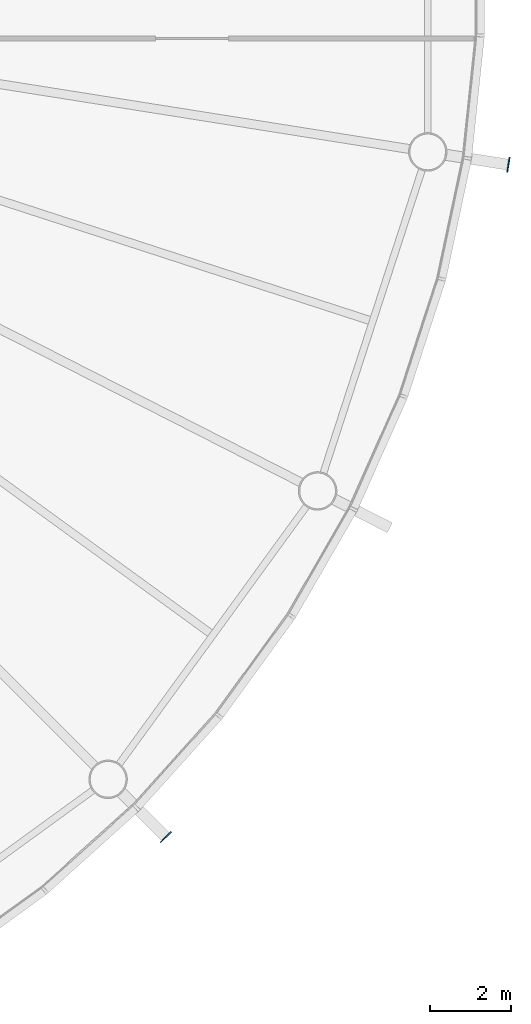
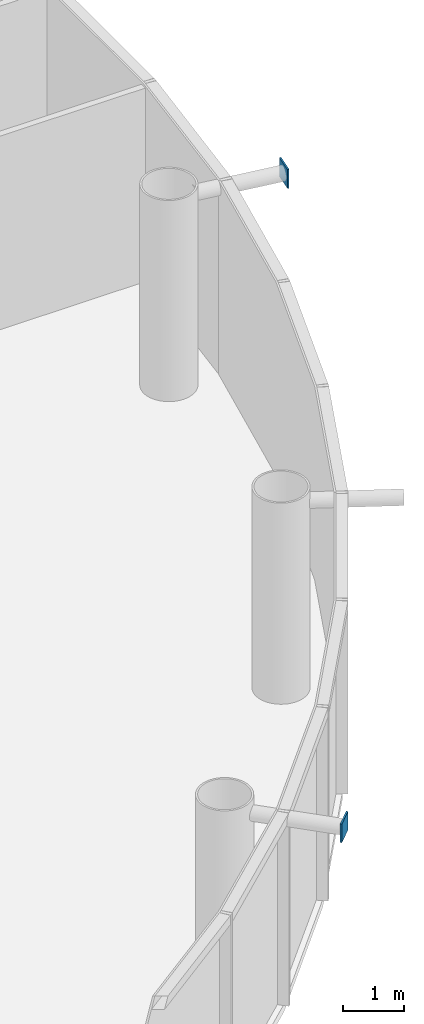
# One storey, part 7 of 16: 2 discrete accessories.
"""IFC4 building model written with IfcOpenShell, lengths in metres."""

from ifc_helpers import new_model, si_unit, direction, frame, origin, origin_2d, place, context, subcontext, project, spatial, rectangle, extrude, material, element, save


model = new_model("IFC4")

# Units and contexts
model_context = context("Model", 3, precision=1e-05, world=origin(), true_north=direction((0.0, 1.0)))
body_context = subcontext(model_context, "Body", "Model", "MODEL_VIEW")
ifc_project = project(units=[si_unit("LENGTHUNIT", "METRE"), si_unit("AREAUNIT", "SQUARE_METRE"), si_unit("VOLUMEUNIT", "CUBIC_METRE"), si_unit("PLANEANGLEUNIT", "RADIAN"), si_unit("MASSUNIT", "GRAM", prefix="KILO")], contexts=[model_context])

# Site, building, storey
site_placement = place(None, origin())
site = spatial("IfcSite", under=ifc_project, at=site_placement, CompositionType="ELEMENT")
building_placement = place(site_placement, origin())
building = spatial("IfcBuilding", under=site, at=building_placement, Name="Entoto Ring Tower", CompositionType="ELEMENT")
storey_placement = place(building_placement, frame((0.0, 0.0, 326.0)))
storey = spatial("IfcBuildingStorey", under=building, at=storey_placement, Name="L75", CompositionType="ELEMENT", Elevation=326.0)

# Discrete accessories
ifc_material = material(Name="Steel S355", Category="steel")
for number, where, z_axis, x_axis, name in (
    (1, (111.29443359375, 58.70556640625, 3.52685546875), (0.0, 0.0, 1.0), (0.707106781187, -0.707106781187, 0.0), "Node strut end plate DS2 ring 24 18"),
    (2, (119.744140625, 75.2890625, 3.52685546875), (0.0, 0.0, 1.0), (0.987688340595, -0.15643446504, 0.0), "Node strut end plate DS2 ring 24 20"),
):
    element("IfcDiscreteAccessory", number, at=place(storey_placement, frame(where, z_axis=z_axis, x_axis=x_axis)), inside=storey, material=ifc_material, Name=name, PredefinedType="BRACKET", context=body_context, shape_type="SweptSolid", body=[
        extrude(rectangle(XDim=0.030029296875, YDim=0.373046875, at=origin_2d()), origin(), (0.0, 0.0, 1.0), 0.373046875),
    ])

save(model, "model.ifc")
